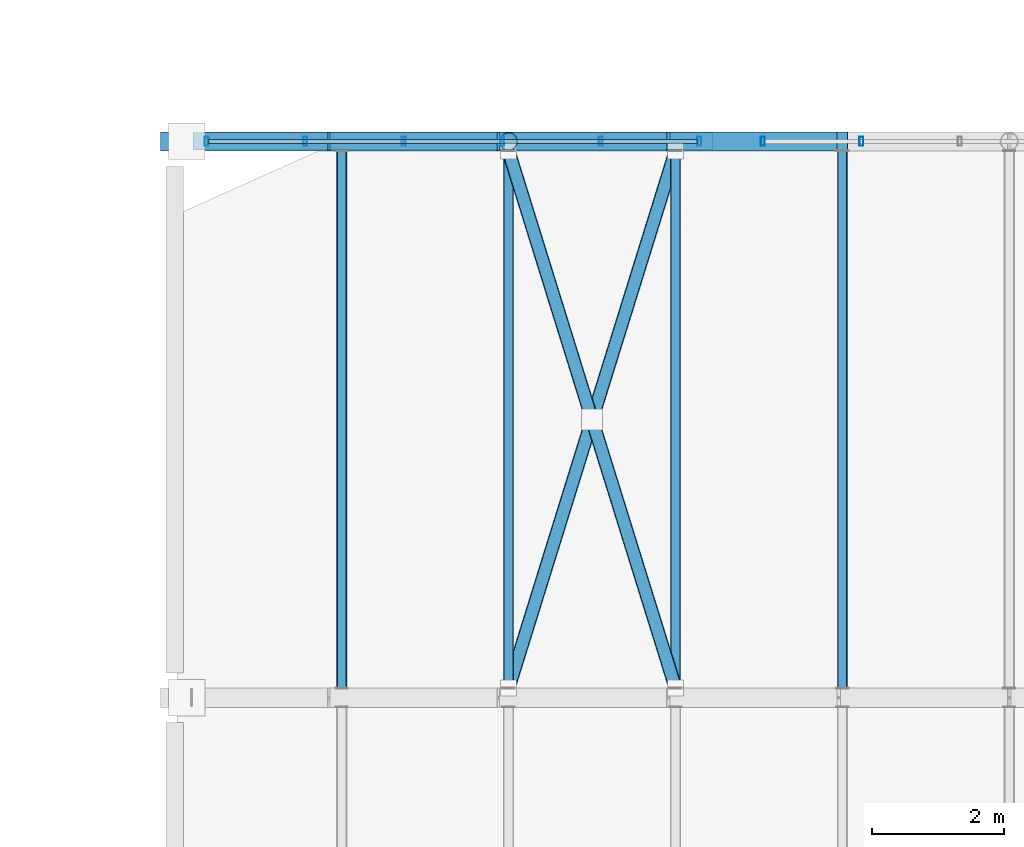
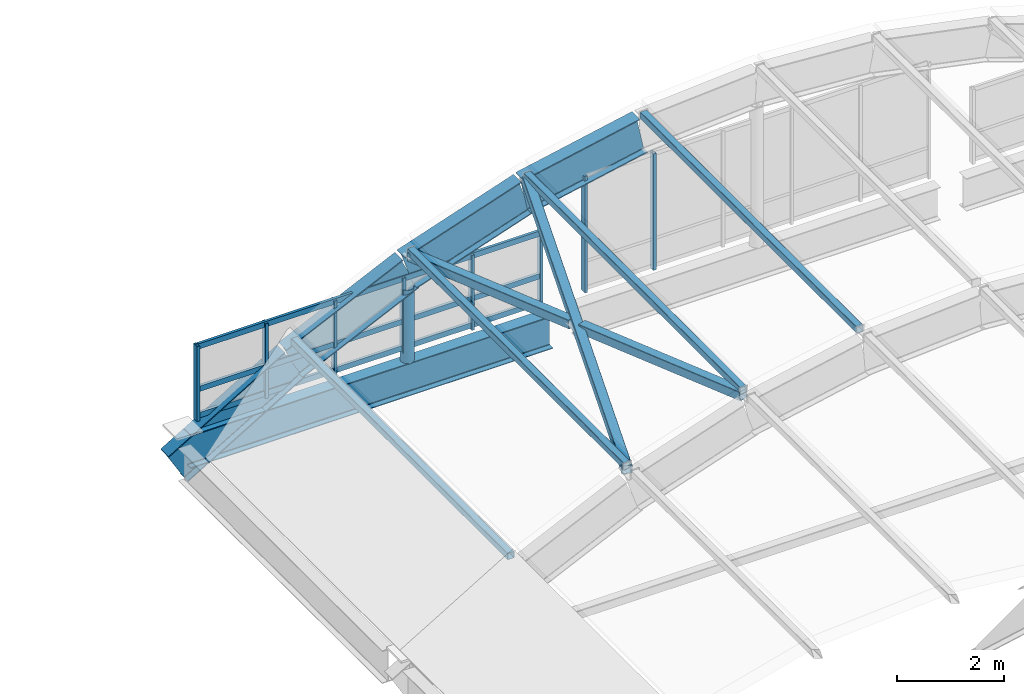
# One storey, part 69 of 107: 19 members, 5 beams, 2 elements without a shape of their own.
"""IFC4 building model written with IfcOpenShell, lengths in metres."""

import ifcopenshell
import ifcopenshell.guid

model = None  # the IFC model being written
_history = None  # IfcOwnerHistory: only IFC2X3 demands one
_inside = {}  # id of a spatial element -> (the spatial element, [elements in it])
_under = {}  # id of a project, library or spatial element -> (it, [spatial elements below it])
_declared = {}  # id of a project -> (the project, [libraries it declares])
_typed = {}  # id of a type object -> (the type object, [elements of that type])
_made_of = {}  # id of a material, layer set ... -> (it, [elements and type objects made of it])


def new_model(schema):
    """Start an empty IFC model of exactly this schema.

    Asked for "IFC4X3", IfcOpenShell would pick the latest addendum, in which some entities
    have other attributes; the version numbers below select the first issue.
    IFC2X3 requires an IfcOwnerHistory on every rooted entity: one is made here for all.
    """
    global model, _history
    if schema == "IFC4X3":
        model = ifcopenshell.file(schema_version=(4, 3, 0, 0))
    else:
        model = ifcopenshell.file(schema=schema)
    _inside.clear()
    _under.clear()
    _declared.clear()
    _typed.clear()
    _made_of.clear()
    _history = None
    if model.schema == "IFC2X3":
        org = make("IfcOrganization", Name="unknown")
        user = make(
            "IfcPersonAndOrganization",
            ThePerson=make("IfcPerson", FamilyName="unknown"),
            TheOrganization=org,
        )
        app = make(
            "IfcApplication",
            ApplicationDeveloper=org,
            Version="unknown",
            ApplicationFullName="unknown",
            ApplicationIdentifier="unknown",
        )
        _history = make(
            "IfcOwnerHistory",
            OwningUser=user,
            OwningApplication=app,
            ChangeAction="ADDED",
            CreationDate=0,
        )
    return model


def make(cls, **values):
    """One entity of the class cls with the attributes given. An attribute that is None is left unset."""
    return model.create_entity(
        cls, **{name: value for name, value in values.items() if value is not None}
    )


def rooted(cls, **values):
    """An entity with a GlobalId (a new one), such as an element, a storey or a relation."""
    return make(cls, GlobalId=ifcopenshell.guid.new(), OwnerHistory=_history, **values)


def si_unit(unit_type, name, prefix=None):
    """IfcSIUnit, for example si_unit("LENGTHUNIT", "METRE", prefix="MILLI")."""
    return make("IfcSIUnit", UnitType=unit_type, Prefix=prefix, Name=name)


def assignment(units):
    """IfcUnitAssignment: the units of a project."""
    return None if units is None else make("IfcUnitAssignment", Units=units)


def point(xyz):
    """IfcCartesianPoint."""
    return None if xyz is None else make("IfcCartesianPoint", Coordinates=xyz)


def direction(xyz):
    """IfcDirection."""
    return None if xyz is None else make("IfcDirection", DirectionRatios=xyz)


def frame(location, z_axis=None, x_axis=None):
    """IfcAxis2Placement3D, a coordinate frame: its origin and axes. An axis left out is left unset."""
    return make(
        "IfcAxis2Placement3D",
        Location=point(location),
        Axis=direction(z_axis),
        RefDirection=direction(x_axis),
    )


def frame_2d(location, x_axis=None):
    """IfcAxis2Placement2D, a coordinate frame in the plane: its origin and x axis."""
    return make(
        "IfcAxis2Placement2D", Location=point(location), RefDirection=direction(x_axis)
    )


def origin():
    """The frame at (0, 0, 0) with its axes left unset."""
    return frame((0.0, 0.0, 0.0))


def origin_2d():
    """The frame at (0, 0) in the plane with its x axis left unset."""
    return frame_2d((0.0, 0.0))


def place(relative_to, where):
    """IfcLocalPlacement: puts the frame where relative to a parent placement (None: the world)."""
    return make(
        "IfcLocalPlacement", PlacementRelTo=relative_to, RelativePlacement=where
    )


def context(
    kind, dimensions, precision=None, world=None, true_north=None, identifier=None
):
    """IfcGeometricRepresentationContext, for example the 3D "Model" context."""
    return make(
        "IfcGeometricRepresentationContext",
        ContextIdentifier=identifier,
        ContextType=kind,
        CoordinateSpaceDimension=dimensions,
        Precision=precision,
        WorldCoordinateSystem=world,
        TrueNorth=true_north,
    )


def subcontext(parent, identifier, kind, view, scale=None):
    """IfcGeometricRepresentationSubContext, for example "Body" below "Model"."""
    return make(
        "IfcGeometricRepresentationSubContext",
        ContextIdentifier=identifier,
        ContextType=kind,
        ParentContext=parent,
        TargetScale=scale,
        TargetView=view,
    )


def project(units=None, contexts=None):
    """IfcProject with its units and contexts."""
    return rooted(
        "IfcProject",
        Name="project",
        RepresentationContexts=contexts,
        UnitsInContext=assignment(units),
    )


def spatial(cls, under=None, at=None, **own):
    """A site, building, storey or space (cls), placed at a placement, below another one or the project."""
    s = rooted(cls, ObjectPlacement=at, **own)
    if under is not None:
        _under.setdefault(under.id(), (under, []))[1].append(s)
    return s


def profile(cls, at=None, kind="AREA", **sizes):
    """A parametric profile (cls). Its sizes go by their IFC names, for example OverallWidth=200.0."""
    return make(cls, ProfileType=kind, Position=at, **sizes)


def hollow_rectangle(**sizes):
    """IfcRectangleHollowProfileDef."""
    return profile("IfcRectangleHollowProfileDef", **sizes)


def hollow_circle(**sizes):
    """IfcCircleHollowProfileDef."""
    return profile("IfcCircleHollowProfileDef", **sizes)


def i_section(**sizes):
    """IfcIShapeProfileDef."""
    return profile("IfcIShapeProfileDef", **sizes)


def extrude(swept, where, along, depth):
    """IfcExtrudedAreaSolid: the profile swept, set in the frame where, extruded along a direction by depth."""
    return make(
        "IfcExtrudedAreaSolid",
        SweptArea=swept,
        Position=where,
        ExtrudedDirection=direction(along),
        Depth=depth,
    )


def shape(context_of_items, identifier, shape_type, items):
    """IfcShapeRepresentation: the items that make up one representation, for example the "Body"."""
    return make(
        "IfcShapeRepresentation",
        ContextOfItems=context_of_items,
        RepresentationIdentifier=identifier,
        RepresentationType=shape_type,
        Items=items,
    )


def material(Name=None, Category=None):
    """IfcMaterial."""
    return make("IfcMaterial", Name=Name, Category=Category)


def layer(
    of_material, thickness, ventilated=None, Name=None, Category=None, Priority=None
):
    """IfcMaterialLayer: one layer of a wall or slab, of a material (None: an air gap)."""
    return make(
        "IfcMaterialLayer",
        Material=of_material,
        LayerThickness=thickness,
        IsVentilated=ventilated,
        Name=Name,
        Category=Category,
        Priority=Priority,
    )


def layer_set(layers, Name=None):
    """IfcMaterialLayerSet."""
    return make("IfcMaterialLayerSet", MaterialLayers=layers, LayerSetName=Name)


def material_profile(
    of_material, cross_section, Name=None, Category=None, Priority=None
):
    """IfcMaterialProfile: a cross section and its material."""
    return make(
        "IfcMaterialProfile",
        Name=Name,
        Material=of_material,
        Profile=cross_section,
        Priority=Priority,
        Category=Category,
    )


def profile_set(profiles, Name=None, composite=None):
    """IfcMaterialProfileSet."""
    return make(
        "IfcMaterialProfileSet",
        Name=Name,
        MaterialProfiles=profiles,
        CompositeProfile=composite,
    )


def made_of(thing, what):
    """Note that an element or type object is made of a material, layer set ...; save() writes the relation."""
    if what is not None:
        _made_of.setdefault(what.id(), (what, []))[1].append(thing)
    return thing


def type_object(cls, material=None, **own):
    """A type object (cls), such as IfcWallType, which elements share."""
    return made_of(rooted(cls, **own), material)


def element(
    cls,
    number,
    at=None,
    inside=None,
    cuts=None,
    type_object=None,
    material=None,
    context=None,
    identifier="Body",
    shape_type=None,
    held_by="IfcProductDefinitionShape",
    body=None,
    shapes=None,
    **own,
):
    """One element of the class cls, such as IfcWall. Its Tag is "e" and its number.

    at: its placement. inside: the storey or other place that contains it. cuts: it is an
    opening in that element (IfcRelVoidsElement). A single representation is given by context,
    identifier, shape_type and body (its items); several are given by shapes. held_by: the class
    of the entity that holds the representations. save() writes the other relations.
    """
    e = rooted(cls, Tag="e%d" % number, ObjectPlacement=at, **own)
    if body is not None:
        shapes = [shape(context, identifier, shape_type, body)]
    if shapes is not None:
        e.Representation = make(held_by, Representations=shapes)
    if inside is not None:
        _inside.setdefault(inside.id(), (inside, []))[1].append(e)
    if cuts is not None:
        rooted(
            "IfcRelVoidsElement", RelatingBuildingElement=cuts, RelatedOpeningElement=e
        )
    if type_object is not None:
        _typed.setdefault(type_object.id(), (type_object, []))[1].append(e)
    return made_of(e, material)


def aggregate(whole, parts):
    """IfcRelAggregates: a whole, such as a stair, and the parts it consists of."""
    return rooted("IfcRelAggregates", RelatingObject=whole, RelatedObjects=parts)


def save(model, path):
    """Write the relations noted so far, then the file.

    IfcRelAggregates (storeys below a building ...), IfcRelContainedInSpatialStructure (elements
    in a storey), IfcRelDefinesByType, IfcRelAssociatesMaterial and IfcRelDeclares: one each for
    every whole, place, type object, material and project.
    """
    for whole, parts in _under.values():
        aggregate(whole, parts)
    for where, things in _inside.values():
        rooted(
            "IfcRelContainedInSpatialStructure",
            RelatedElements=things,
            RelatingStructure=where,
        )
    for kind, things in _typed.values():
        rooted("IfcRelDefinesByType", RelatedObjects=things, RelatingType=kind)
    for what, things in _made_of.values():
        rooted("IfcRelAssociatesMaterial", RelatedObjects=things, RelatingMaterial=what)
    for by, libraries in _declared.values():
        rooted("IfcRelDeclares", RelatingContext=by, RelatedDefinitions=libraries)
    model.write(path)


model = new_model("IFC4")

# Units and contexts
model_context = context("Model", 3, precision=1e-05, world=origin(), true_north=direction((0.0, 1.0)))
body_context = subcontext(model_context, "Body", "Model", "MODEL_VIEW")
ifc_project = project(units=[si_unit("LENGTHUNIT", "METRE"), si_unit("AREAUNIT", "SQUARE_METRE"), si_unit("VOLUMEUNIT", "CUBIC_METRE"), si_unit("PLANEANGLEUNIT", "RADIAN"), si_unit("MASSUNIT", "GRAM", prefix="KILO")], contexts=[model_context])

# Site, building, storey
site_placement = place(None, origin())
site = spatial("IfcSite", under=ifc_project, at=site_placement, CompositionType="ELEMENT")
building_placement = place(site_placement, origin())
building = spatial("IfcBuilding", under=site, at=building_placement, Name="Vireocrest Preparatory School", CompositionType="ELEMENT")
storey_placement = place(building_placement, frame((0.0, 0.0, 13.199951171875)))
storey = spatial("IfcBuildingStorey", under=building, at=storey_placement, Name="L03", CompositionType="ELEMENT", Elevation=13.199951171875)

# Beams
ifc_material_1 = material(Name="Structural steel ASTM A992 Grade 50", Category="steel")
ifc_material_profile_1 = material_profile(ifc_material_1, i_section(OverallWidth=0.2919921875, OverallDepth=0.841064453125, WebThickness=0.0146484375, FlangeThickness=0.021728515625, FilletRadius=0.02001953125, at=origin_2d()), Name="W33X130")
ifc_profile_set_1 = profile_set([ifc_material_profile_1], Name="Structural steel ASTM A992 Grade 50")
beam_type_1 = type_object("IfcBeamType", Name="Assembly Hall Barrel Vault Arch Rib W33X130", PredefinedType="BEAM", material=ifc_profile_set_1)
beam_1_placement = place(storey_placement, frame((142.800048828125, 52.199951171875, -0.883544921875), z_axis=(0.858599207137, 0.0, 0.512647443672), x_axis=(0.0, 1.0, 0.0)))
element("IfcBeam", 1, at=beam_1_placement, inside=storey, type_object=beam_type_1, Name="Assembly Hall Barrel Vault Roof Arch Rib 5 Seg 1", PredefinedType="BEAM", context=body_context, shape_type="SweptSolid", body=[
    extrude(i_section(OverallWidth=0.2919921875, OverallDepth=0.841064453125, WebThickness=0.0146484375, FlangeThickness=0.021728515625, FilletRadius=0.02001953125, at=origin_2d()), origin(), (0.0, 0.0, 1.0), 2.93505859375),
])
beam_2_placement = place(storey_placement, frame((145.320068359375, 52.199951171875, 0.6474609375), z_axis=(0.905574801812, 0.0, 0.424186607902), x_axis=(0.0, 1.0, 0.0)))
element("IfcBeam", 2, at=beam_2_placement, inside=storey, type_object=beam_type_1, Name="Assembly Hall Barrel Vault Roof Arch Rib 5 Seg 2", PredefinedType="BEAM", context=body_context, shape_type="SweptSolid", body=[
    extrude(i_section(OverallWidth=0.2919921875, OverallDepth=0.841064453125, WebThickness=0.0146484375, FlangeThickness=0.021728515625, FilletRadius=0.02001953125, at=origin_2d()), origin(), (0.0, 0.0, 1.0), 2.78271484375),
])
beam_3_placement = place(storey_placement, frame((147.840087890625, 52.199951171875, 1.848388671875), z_axis=(0.947982995349, 0.0, 0.318320970924), x_axis=(0.0, 1.0, 0.0)))
element("IfcBeam", 3, at=beam_3_placement, inside=storey, type_object=beam_type_1, Name="Assembly Hall Barrel Vault Roof Arch Rib 5 Seg 3", PredefinedType="BEAM", context=body_context, shape_type="SweptSolid", body=[
    extrude(i_section(OverallWidth=0.2919921875, OverallDepth=0.841064453125, WebThickness=0.0146484375, FlangeThickness=0.021728515625, FilletRadius=0.02001953125, at=origin_2d()), origin(), (0.0, 0.0, 1.0), 2.658203125),
])
beam_4_placement = place(storey_placement, frame((150.360107421875, 52.199951171875, 2.708740234375), z_axis=(0.979995711856, 0.0, 0.199018604016), x_axis=(0.0, 1.0, 0.0)))
element("IfcBeam", 4, at=beam_4_placement, inside=storey, type_object=beam_type_1, Name="Assembly Hall Barrel Vault Roof Arch Rib 5 Seg 4", PredefinedType="BEAM", context=body_context, shape_type="SweptSolid", body=[
    extrude(i_section(OverallWidth=0.2919921875, OverallDepth=0.841064453125, WebThickness=0.0146484375, FlangeThickness=0.021728515625, FilletRadius=0.02001953125, at=origin_2d()), origin(), (0.0, 0.0, 1.0), 2.5712890625),
])
ifc_material_profile_2 = material_profile(ifc_material_1, i_section(OverallWidth=0.264892578125, OverallDepth=0.7529296875, WebThickness=0.01318359375, FlangeThickness=0.01708984375, FilletRadius=0.01904296875, at=origin_2d()), Name="W30X99")
ifc_profile_set_2 = profile_set([ifc_material_profile_2], Name="Structural steel ASTM A992 Grade 50")
beam_type_2 = type_object("IfcBeamType", Name="Assembly Hall Vault Ring Beam W30X99", PredefinedType="BEAM", material=ifc_profile_set_2)
beam_5_placement = place(storey_placement, frame((143.074951171875, 52.199951171875, -0.596435546875), z_axis=(1.0, 0.0, 0.0), x_axis=(0.0, 1.0, 0.0)))
element("IfcBeam", 5, at=beam_5_placement, inside=storey, type_object=beam_type_2, Name="Assembly Hall Barrel Vault Roof Gable Ring Beam N-1", PredefinedType="BEAM", context=body_context, shape_type="SweptSolid", body=[
    extrude(i_section(OverallWidth=0.264892578125, OverallDepth=0.7529296875, WebThickness=0.01318359375, FlangeThickness=0.01708984375, FilletRadius=0.01904296875, at=origin_2d()), origin(), (0.0, 0.0, 1.0), 7.85009765625),
])

# Members
ifc_material_2 = material(Name="Structural steel ASTM A500 Grade C", Category="steel")
ifc_material_profile_3 = material_profile(ifc_material_2, hollow_rectangle(XDim=0.15234375, YDim=0.15234375, WallThickness=0.0087890625, InnerFilletRadius=0.0087890625, OuterFilletRadius=0.017822265625, at=origin_2d()), Name="HSS6X6X3/8")
ifc_profile_set_3 = profile_set([ifc_material_profile_3], Name="Structural steel ASTM A500 Grade C")
member_type_1 = type_object("IfcMemberType", Name="Barrel Vault Steel Purlin HSS6X6X3/8", PredefinedType="PURLIN", material=ifc_profile_set_3)
for number, where, z_axis, x_axis, name in (
    (6, (145.320068359375, 43.94091796875, 1.175048828125), (0.0, 1.0, 0.0), (-1.0, 0.0, 0.0), "Assembly Hall Barrel Vault Roof Purlin 4-2"),
    (7, (147.840087890625, 43.94091796875, 2.355712890625), (0.0, 1.0, 0.0), (-1.0, 0.0, 0.0), "Assembly Hall Barrel Vault Roof Purlin 4-3"),
    (8, (150.360107421875, 43.94091796875, 3.20166015625), (0.0, 1.0, 0.0), (-1.0, 0.0, 0.0), "Assembly Hall Barrel Vault Roof Purlin 4-4"),
    (9, (152.8798828125, 43.94091796875, 3.71337890625), (0.0, 1.0, 0.0), (-1.0, 0.0, 0.0), "Assembly Hall Barrel Vault Roof Purlin 4-5"),
):
    element("IfcMember", number, at=place(storey_placement, frame(where, z_axis=z_axis, x_axis=x_axis)), inside=storey, type_object=member_type_1, Name=name, PredefinedType="PURLIN", context=body_context, shape_type="SweptSolid", body=[
        extrude(hollow_rectangle(XDim=0.15234375, YDim=0.15234375, WallThickness=0.0087890625, InnerFilletRadius=0.0087890625, OuterFilletRadius=0.017822265625, at=origin_2d()), origin(), (0.0, 0.0, 1.0), 8.1181640625),
    ])

# Curtain wall, members
ifc_material_3 = material(Name="Thermally broken aluminium EN AW-6063-T6", Category="aluminium")
ifc_layer_1 = layer(ifc_material_3, 0.179931640625)
ifc_layer_set_1 = layer_set([ifc_layer_1], Name="Thermally broken aluminium EN AW-6063-T6")
curtain_wall_type_1 = type_object("IfcCurtainWallType", Name="Vault Gable Clerestory 8400x2600", PredefinedType="USERDEFINED", material=ifc_layer_set_1)
curtain_wall_1_placement = place(storey_placement, origin())
curtain_wall_1 = element("IfcCurtainWall", 10, at=curtain_wall_1_placement, inside=storey, type_object=curtain_wall_type_1, Name="Curtain Wall CW13 CW_L03_CW13_1432_0522_132", ObjectType="CURTAIN WALL", PredefinedType="USERDEFINED")
ifc_material_profile_4 = material_profile(ifc_material_3, hollow_rectangle(XDim=0.06005859375, YDim=0.135009765625, WallThickness=0.00390625, at=origin_2d()), Name="ALU 60x135x4")
ifc_profile_set_4 = profile_set([ifc_material_profile_4], Name="Thermally broken aluminium EN AW-6063-T6")
member_type_2 = type_object("IfcMemberType", Name="CW Clerestory Mullion 60x135x4", PredefinedType="MULLION", material=ifc_profile_set_4)
member_1_placement = place(storey_placement, frame((143.280029296875, 52.199951171875, 0.0), z_axis=(0.0, 0.0, 1.0), x_axis=(1.0, 0.0, 0.0)))
member_1 = element("IfcMember", 11, at=member_1_placement, type_object=member_type_2, Name="CW Mullion ML6 CW_L03_CW13_1432_0522_132-1", PredefinedType="MULLION", context=body_context, shape_type="SweptSolid", body=[
    extrude(hollow_rectangle(XDim=0.06005859375, YDim=0.135009765625, WallThickness=0.00390625, at=origin_2d()), origin(), (0.0, 0.0, 1.0), 1.715087890625),
])
member_2_placement = place(storey_placement, frame((144.76806640625, 52.199951171875, 0.0), z_axis=(0.0, 0.0, 1.0), x_axis=(1.0, 0.0, 0.0)))
member_2 = element("IfcMember", 12, at=member_2_placement, type_object=member_type_2, Name="CW Mullion ML6 CW_L03_CW13_1432_0522_132-2", PredefinedType="MULLION", context=body_context, shape_type="SweptSolid", body=[
    extrude(hollow_rectangle(XDim=0.06005859375, YDim=0.135009765625, WallThickness=0.00390625, at=origin_2d()), origin(), (0.0, 0.0, 1.0), 1.715087890625),
])
member_3_placement = place(storey_placement, frame((146.256103515625, 52.199951171875, 0.0), z_axis=(0.0, 0.0, 1.0), x_axis=(1.0, 0.0, 0.0)))
member_3 = element("IfcMember", 13, at=member_3_placement, type_object=member_type_2, Name="CW Mullion ML6 CW_L03_CW13_1432_0522_132-3", PredefinedType="MULLION", context=body_context, shape_type="SweptSolid", body=[
    extrude(hollow_rectangle(XDim=0.06005859375, YDim=0.135009765625, WallThickness=0.00390625, at=origin_2d()), origin(), (0.0, 0.0, 1.0), 1.715087890625),
])
member_4_placement = place(storey_placement, frame((147.743896484375, 52.199951171875, 0.0), z_axis=(0.0, 0.0, 1.0), x_axis=(1.0, 0.0, 0.0)))
member_4 = element("IfcMember", 14, at=member_4_placement, type_object=member_type_2, Name="CW Mullion ML6 CW_L03_CW13_1432_0522_132-4", PredefinedType="MULLION", context=body_context, shape_type="SweptSolid", body=[
    extrude(hollow_rectangle(XDim=0.06005859375, YDim=0.135009765625, WallThickness=0.00390625, at=origin_2d()), origin(), (0.0, 0.0, 1.0), 1.715087890625),
])
member_5_placement = place(storey_placement, frame((149.23193359375, 52.199951171875, 0.0), z_axis=(0.0, 0.0, 1.0), x_axis=(1.0, 0.0, 0.0)))
member_5 = element("IfcMember", 15, at=member_5_placement, type_object=member_type_2, Name="CW Mullion ML6 CW_L03_CW13_1432_0522_132-5", PredefinedType="MULLION", context=body_context, shape_type="SweptSolid", body=[
    extrude(hollow_rectangle(XDim=0.06005859375, YDim=0.135009765625, WallThickness=0.00390625, at=origin_2d()), origin(), (0.0, 0.0, 1.0), 1.715087890625),
])
member_6_placement = place(storey_placement, frame((150.719970703125, 52.199951171875, 0.0), z_axis=(0.0, 0.0, 1.0), x_axis=(1.0, 0.0, 0.0)))
member_6 = element("IfcMember", 16, at=member_6_placement, type_object=member_type_2, Name="CW Mullion ML6 CW_L03_CW13_1432_0522_132-6", PredefinedType="MULLION", context=body_context, shape_type="SweptSolid", body=[
    extrude(hollow_rectangle(XDim=0.06005859375, YDim=0.135009765625, WallThickness=0.00390625, at=origin_2d()), origin(), (0.0, 0.0, 1.0), 1.715087890625),
])

ifc_layer_2 = layer(ifc_material_3, 0.179931640625)
ifc_layer_set_2 = layer_set([ifc_layer_2], Name="Thermally broken aluminium EN AW-6063-T6")
curtain_wall_type_2 = type_object("IfcCurtainWallType", Name="Vault Centre Gable Clerestory 8400x3800", PredefinedType="USERDEFINED", material=ifc_layer_set_2)
curtain_wall_2_placement = place(storey_placement, origin())
curtain_wall_2 = element("IfcCurtainWall", 17, at=curtain_wall_2_placement, inside=storey, type_object=curtain_wall_type_2, Name="Curtain Wall CW14 CW_L03_CW14_1516_0522_132", ObjectType="CURTAIN WALL", PredefinedType="USERDEFINED")
member_7_placement = place(storey_placement, frame((151.679931640625, 52.199951171875, 0.0), z_axis=(0.0, 0.0, 1.0), x_axis=(1.0, 0.0, 0.0)))
member_7 = element("IfcMember", 18, at=member_7_placement, type_object=member_type_2, Name="CW Mullion ML6 CW_L03_CW14_1516_0522_132-1", PredefinedType="MULLION", context=body_context, shape_type="SweptSolid", body=[
    extrude(hollow_rectangle(XDim=0.06005859375, YDim=0.135009765625, WallThickness=0.00390625, at=origin_2d()), origin(), (0.0, 0.0, 1.0), 2.6650390625),
])
member_8_placement = place(storey_placement, frame((153.16796875, 52.199951171875, 0.0), z_axis=(0.0, 0.0, 1.0), x_axis=(1.0, 0.0, 0.0)))
member_8 = element("IfcMember", 19, at=member_8_placement, type_object=member_type_2, Name="CW Mullion ML6 CW_L03_CW14_1516_0522_132-2", PredefinedType="MULLION", context=body_context, shape_type="SweptSolid", body=[
    extrude(hollow_rectangle(XDim=0.06005859375, YDim=0.135009765625, WallThickness=0.00390625, at=origin_2d()), origin(), (0.0, 0.0, 1.0), 2.6650390625),
])
aggregate(curtain_wall_2, [member_7, member_8])

# Member
ifc_material_profile_5 = material_profile(ifc_material_3, hollow_rectangle(XDim=0.06005859375, YDim=0.125, WallThickness=0.00390625, at=origin_2d()), Name="ALU 60x125x4")
ifc_profile_set_5 = profile_set([ifc_material_profile_5], Name="Thermally broken aluminium EN AW-6063-T6")
member_type_3 = type_object("IfcMemberType", Name="CW Clerestory Transom 60x125x4", PredefinedType="USERDEFINED", material=ifc_profile_set_5)
member_9_placement = place(storey_placement, frame((143.304931640625, 52.199951171875, 0.094970703125), z_axis=(1.0, 0.0, 0.0), x_axis=(0.0, 1.0, 0.0)))
member_9 = element("IfcMember", 20, at=member_9_placement, type_object=member_type_3, Name="CW Transom TR6 CW_L03_CW13_1432_0522_132-1", ObjectType="TRANSOM", PredefinedType="USERDEFINED", context=body_context, shape_type="SweptSolid", body=[
    extrude(hollow_rectangle(XDim=0.06005859375, YDim=0.125, WallThickness=0.00390625, at=origin_2d()), origin(), (0.0, 0.0, 1.0), 7.39013671875),
])

member_10_placement = place(storey_placement, frame((143.304931640625, 52.199951171875, 0.699951171875), z_axis=(1.0, 0.0, 0.0), x_axis=(0.0, 1.0, 0.0)))
member_10 = element("IfcMember", 21, at=member_10_placement, type_object=member_type_3, Name="CW Transom TR6 CW_L03_CW13_1432_0522_132-2", ObjectType="TRANSOM", PredefinedType="USERDEFINED", context=body_context, shape_type="SweptSolid", body=[
    extrude(hollow_rectangle(XDim=0.06005859375, YDim=0.125, WallThickness=0.00390625, at=origin_2d()), origin(), (0.0, 0.0, 1.0), 7.39013671875),
])

member_11_placement = place(storey_placement, frame((143.304931640625, 52.199951171875, 1.675048828125), z_axis=(1.0, 0.0, 0.0), x_axis=(0.0, 1.0, 0.0)))
member_11 = element("IfcMember", 22, at=member_11_placement, type_object=member_type_3, Name="CW Transom TR6 CW_L03_CW13_1432_0522_132-3", ObjectType="TRANSOM", PredefinedType="USERDEFINED", context=body_context, shape_type="SweptSolid", body=[
    extrude(hollow_rectangle(XDim=0.06005859375, YDim=0.125, WallThickness=0.00390625, at=origin_2d()), origin(), (0.0, 0.0, 1.0), 7.39013671875),
])

aggregate(curtain_wall_1, [member_1, member_2, member_3, member_4, member_5, member_6, member_9, member_10, member_11])

# Members
ifc_material_profile_6 = material_profile(ifc_material_2, hollow_rectangle(XDim=0.203125, YDim=0.203125, WallThickness=0.0087890625, InnerFilletRadius=0.0087890625, OuterFilletRadius=0.017822265625, at=origin_2d()), Name="HSS8X8X3/8")
ifc_profile_set_6 = profile_set([ifc_material_profile_6], Name="Structural steel ASTM A500 Grade C")
member_type_4 = type_object("IfcMemberType", Name="Vault Roof Wind X-Brace HSS8X8X3/8", PredefinedType="BRACE", material=ifc_profile_set_6)
member_12_placement = place(storey_placement, frame((147.840087890625, 43.946044921875, 2.260986328125), z_axis=(0.295375381898, 0.950340673593, 0.098010141736), x_axis=(-0.954938304323, 0.296804371491, 0.0)))
element("IfcMember", 23, at=member_12_placement, inside=storey, type_object=member_type_4, Name="Assembly Hall Barrel Vault Roof Roof Wind Brace 4-3", PredefinedType="BRACE", context=body_context, shape_type="SweptSolid", body=[
    extrude(hollow_rectangle(XDim=0.203125, YDim=0.203125, WallThickness=0.0087890625, InnerFilletRadius=0.0087890625, OuterFilletRadius=0.017822265625, at=origin_2d()), origin(), (0.0, 0.0, 1.0), 8.531494140625),
])
for number, where, z_axis, x_axis, name in (
    (24, (147.840087890625, 52.053955078125, 2.260986328125), (0.295336579472, -0.950354505881, 0.097992948616), (0.954950578878, 0.29676487646, 0.0), "Assembly Hall Barrel Vault Roof Split Roof X-Brace 4-3-1"),
    (25, (149.138427734375, 47.87646484375, 2.691650390625), (0.295388751791, -0.950332437068, 0.098049703582), (0.954933767345, 0.29681896837, 0.0), "Assembly Hall Barrel Vault Roof Split Roof X-Brace 4-3-2"),
):
    element("IfcMember", number, at=place(storey_placement, frame(where, z_axis=z_axis, x_axis=x_axis)), inside=storey, type_object=member_type_4, Name=name, PredefinedType="BRACE", context=body_context, shape_type="SweptSolid", body=[
        extrude(hollow_rectangle(XDim=0.203125, YDim=0.203125, WallThickness=0.0087890625, InnerFilletRadius=0.0087890625, OuterFilletRadius=0.017822265625, at=origin_2d()), origin(), (0.0, 0.0, 1.0), 4.1357421875),
    ])
ifc_material_4 = material(Name="Painted white steel ASTM A500 Grade C", Category="steel")
ifc_material_profile_7 = material_profile(ifc_material_4, hollow_circle(Radius=0.136474609375, WallThickness=0.0126953125, at=origin_2d()), Name="HSS10.750X0.500")
ifc_profile_set_7 = profile_set([ifc_material_profile_7], Name="Painted white steel ASTM A500 Grade C")
member_type_5 = type_object("IfcMemberType", Name="White Steel Clerestory Strut HSS10.750X0.500", PredefinedType="USERDEFINED", material=ifc_profile_set_7)
member_13_placement = place(storey_placement, frame((147.840087890625, 52.199951171875, -0.239990234375), z_axis=(0.0, 0.0, 1.0), x_axis=(1.0, 0.0, 0.0)))
element("IfcMember", 26, at=member_13_placement, inside=storey, type_object=member_type_5, Name="Assembly Hall Barrel Vault Roof Gable Mullion Post 5-2", ObjectType="STRUT", PredefinedType="USERDEFINED", context=body_context, shape_type="SweptSolid", body=[
    extrude(hollow_circle(Radius=0.136474609375, WallThickness=0.0126953125, at=origin_2d()), origin(), (0.0, 0.0, 1.0), 1.68798828125),
])

save(model, "model.ifc")
